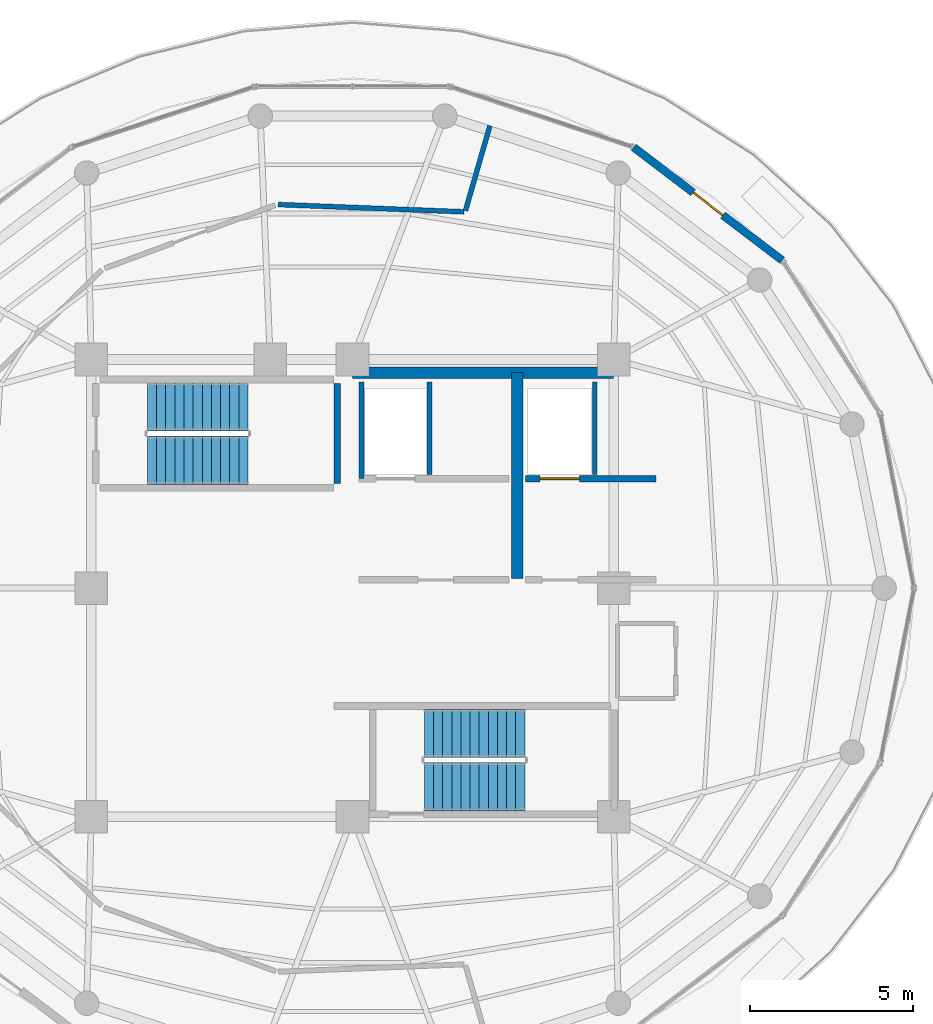
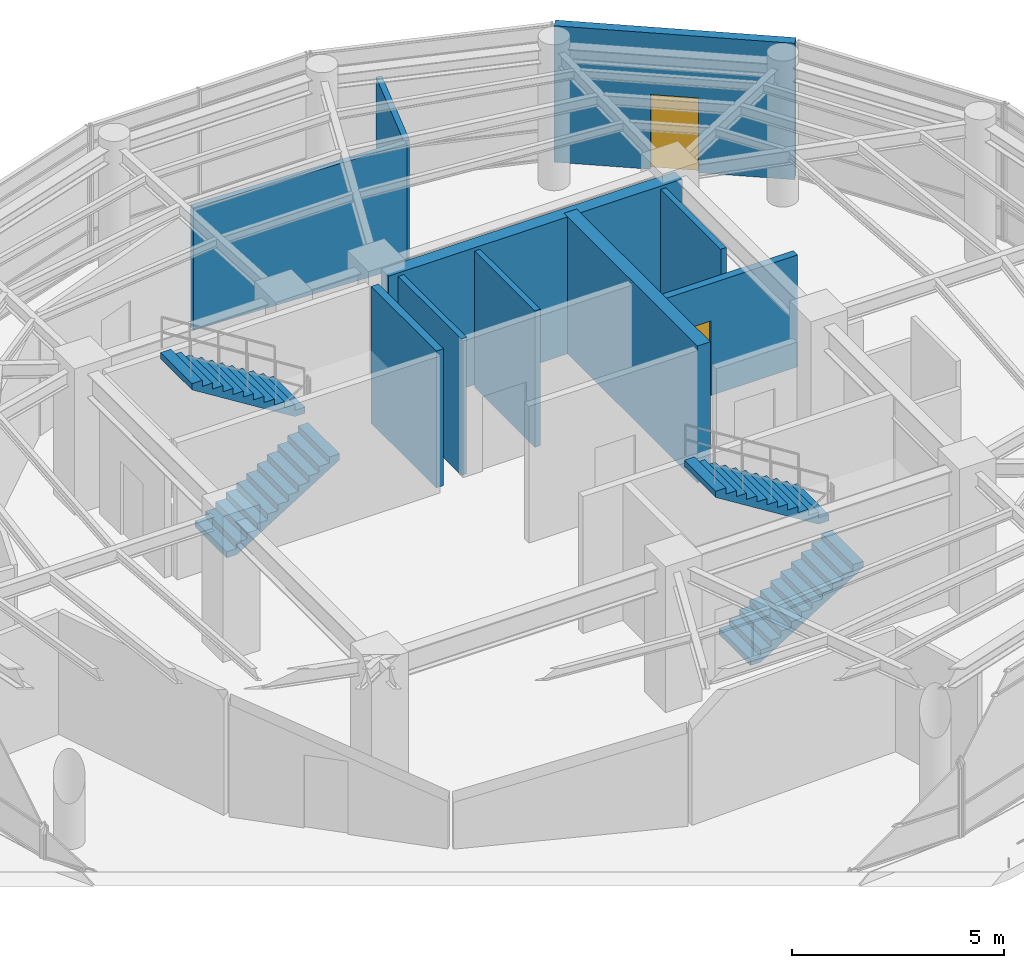
# One storey, part 18 of 20: 10 walls, 4 stair flights, 2 doors, 2 openings, 2 elements without a shape of their own.
"""IFC4 building model written with IfcOpenShell, lengths in metres."""

from ifc_helpers import new_model, si_unit, direction, frame, frame_2d, origin, place, context, subcontext, project, spatial, polyline, rectangle, outline, extrude, material, layer, layer_set, type_object, element, fill, aggregate, save


model = new_model("IFC4")

# Units and contexts
model_context = context("Model", 3, precision=1e-05, world=origin(), true_north=direction((0.0, 1.0)))
body_context = subcontext(model_context, "Body", "Model", "MODEL_VIEW")
ifc_project = project(units=[si_unit("LENGTHUNIT", "METRE"), si_unit("AREAUNIT", "SQUARE_METRE"), si_unit("VOLUMEUNIT", "CUBIC_METRE"), si_unit("PLANEANGLEUNIT", "RADIAN"), si_unit("MASSUNIT", "GRAM", prefix="KILO")], contexts=[model_context])

# Site, building, storey
site_placement = place(None, origin())
site = spatial("IfcSite", under=ifc_project, at=site_placement, CompositionType="ELEMENT")
building_placement = place(site_placement, origin())
building = spatial("IfcBuilding", under=site, at=building_placement, Name="Kelanora Arch Commons", CompositionType="ELEMENT")
storey_placement = place(building_placement, frame((0.0, 0.0, 298.5)))
storey = spatial("IfcBuildingStorey", under=building, at=storey_placement, Name="L76", CompositionType="ELEMENT", Elevation=298.5)

# Walls
ifc_material_1 = material(Name="Autoclaved aerated concrete blockwork with fire plaster", Category="masonry")
ifc_layer_1 = layer(ifc_material_1, 0.14990234375)
ifc_layer_set_1 = layer_set([ifc_layer_1], Name="Autoclaved aerated concrete blockwork with fire plaster")
wall_type_1 = type_object("IfcWallType", Name="W-COMP-150", PredefinedType="PARTITIONING", material=ifc_layer_set_1)
wall_1_placement = place(storey_placement, frame((74.280029296875, 61.35009765625, 0.0), z_axis=(0.0, 0.0, 1.0), x_axis=(0.0, 1.0, 0.0)))
element("IfcWall", 1, at=wall_1_placement, inside=storey, type_object=wall_type_1, Name="Firefighting Lift 1 West Shaft Wall L76", PredefinedType="PARTITIONING", context=body_context, shape_type="SweptSolid", body=[
    extrude(rectangle(XDim=2.969970703125, YDim=0.14990234375, at=frame_2d((1.48486328125, 0.0))), origin(), (0.0, 0.0, 1.0), 3.929931640625),
])
for number, where, z_axis, x_axis, name in (
    (2, (76.360107421875, 61.47998046875, 0.0), (0.0, 0.0, 1.0), (0.0, 1.0, 0.0), "Firefighting Lift 1 East Shaft Wall L76"),
    (3, (81.419921875, 61.47998046875, 0.0), (0.0, 0.0, 1.0), (0.0, 1.0, 0.0), "Firefighting Lift 2 East Shaft Wall L76"),
):
    element("IfcWall", number, at=place(storey_placement, frame(where, z_axis=z_axis, x_axis=x_axis)), inside=storey, type_object=wall_type_1, Name=name, PredefinedType="PARTITIONING", context=body_context, shape_type="SweptSolid", body=[
        extrude(rectangle(XDim=2.840087890625, YDim=0.14990234375, at=frame_2d((1.419921875, 0.0))), origin(), (0.0, 0.0, 1.0), 3.929931640625),
    ])
wall_2_placement = place(storey_placement, frame((77.409912109375, 69.524658203125, 0.0), z_axis=(0.0, 0.0, 1.0), x_axis=(-0.999233860457, 0.03913683834, 0.0)))
element("IfcWall", 4, at=wall_2_placement, inside=storey, type_object=wall_type_1, Name="Crown Chiller and Cooling Tower Plant Room L76 Enclosure Partition 1", PredefinedType="PARTITIONING", context=body_context, shape_type="SweptSolid", body=[
    extrude(rectangle(XDim=5.689208984375, YDim=0.14990234375, at=frame_2d((2.8447265625, 0.0))), origin(), (0.0, 0.0, 1.0), 3.52490234375),
])
wall_3_placement = place(storey_placement, frame((78.2080078125, 72.16064453125, 0.0), z_axis=(0.0, 0.0, 1.0), x_axis=(-0.276223004297, -0.961093570833, 0.0)))
element("IfcWall", 5, at=wall_3_placement, inside=storey, type_object=wall_type_1, Name="Crown Chiller and Cooling Tower Plant Room L76 Enclosure Partition 10", PredefinedType="PARTITIONING", context=body_context, shape_type="SweptSolid", body=[
    extrude(rectangle(XDim=2.70458984375, YDim=0.14990234375, at=frame_2d((1.352294921875, 0.0))), origin(), (0.0, 0.0, 1.0), 3.52490234375),
])
ifc_material_2 = material(Name="Concrete C50/60", Category="concrete")
ifc_layer_2 = layer(ifc_material_2, 0.35009765625)
ifc_layer_set_2 = layer_set([ifc_layer_2], Name="Concrete C50/60")
wall_type_2 = type_object("IfcWallType", Name="W-CORE-350", PredefinedType="SHEAR", material=ifc_layer_set_2)
wall_4_placement = place(storey_placement, frame((74.0, 64.60009765625, 0.0), z_axis=(0.0, 0.0, 1.0), x_axis=(1.0, 0.0, 0.0)))
element("IfcWall", 6, at=wall_4_placement, inside=storey, type_object=wall_type_2, Name="Core Shear Spine L76-CN-E", PredefinedType="SHEAR", context=body_context, shape_type="SweptSolid", body=[
    extrude(rectangle(XDim=8.0, YDim=0.35009765625, at=frame_2d((4.0, 0.0))), origin(), (0.0, 0.0, 1.0), 3.93994140625),
])
wall_5_placement = place(storey_placement, frame((79.050048828125, 58.300048828125, 0.0), z_axis=(0.0, 0.0, 1.0), x_axis=(0.0, 1.0, 0.0)))
element("IfcWall", 7, at=wall_5_placement, inside=storey, type_object=wall_type_2, Name="Core Shear Spine L76-CE-N", PredefinedType="SHEAR", context=body_context, shape_type="SweptSolid", body=[
    extrude(rectangle(XDim=6.300048828125, YDim=0.35009765625, at=frame_2d((3.14990234375, 0.0))), origin(), (0.0, 0.0, 1.0), 3.93994140625),
])

# Wall, opening, door
ifc_material_3 = material(Name="Precast concrete C40/50 upper-zone terracotta rainscreen", Category="masonry")
ifc_layer_3 = layer(ifc_material_3, 0.239990234375)
ifc_layer_set_3 = layer_set([ifc_layer_3], Name="Precast concrete C40/50 upper-zone terracotta rainscreen")
wall_type_3 = type_object("IfcWallType", Name="W-EXT-TC2", PredefinedType="SOLIDWALL", material=ifc_layer_set_3)
wall_6_placement = place(storey_placement, frame((87.1640625, 68.03662109375, 0.0), z_axis=(0.0, 0.0, 1.0), x_axis=(-0.795770568915, 0.605598218004, 0.0)))
wall_6 = element("IfcWall", 8, at=wall_6_placement, inside=storey, type_object=wall_type_3, Name="Terracotta Exterior Wall L76-B02", PredefinedType="SOLIDWALL", context=body_context, shape_type="SweptSolid", body=[
    extrude(rectangle(XDim=5.720458984375, YDim=0.239990234375, at=frame_2d((2.8603515625, 0.0))), origin(), (0.0, 0.0, 1.0), 3.925048828125),
])
opening_1_placement = place(wall_6_placement, frame((2.284912109375, 0.0, 0.0)))
opening_1 = element("IfcOpeningElement", 9, at=opening_1_placement, cuts=wall_6, Name="Opening DT-01", PredefinedType="OPENING", context=body_context, shape_type="SweptSolid", body=[
    extrude(rectangle(XDim=1.14990234375, YDim=2.14990234375, at=frame_2d((0.574951171875, 1.074951171875))), frame((0.0, 0.1298828125, 0.0), z_axis=(0.0, -1.0, 0.0), x_axis=(1.0, 0.0, 0.0)), (0.0, 0.0, 1.0), 0.260009765625),
])
ifc_material_4 = material(Name="Weather-sealed aluminium terrace door", Category="aluminium")
door_type_1 = type_object("IfcDoorType", Name="D-TERR-12", OperationType="NOTDEFINED", PredefinedType="DOOR", material=ifc_material_4)
door_1_placement = place(opening_1_placement, frame((1.14990234375, 0.0, 0.0), z_axis=(0.0, 0.0, 1.0), x_axis=(-1.0, 0.0, 0.0)))
door_1 = element("IfcDoor", 10, at=door_1_placement, inside=storey, type_object=door_type_1, Name="Sky-Terrace Access Door L76-B02", OperationType="SINGLE_SWING_LEFT", OverallHeight=2.14990234375, OverallWidth=1.14990234375, PredefinedType="DOOR", context=body_context, shape_type="SweptSolid", body=[
    extrude(rectangle(XDim=1.14990234375, YDim=2.14990234375, at=frame_2d((0.574951171875, 1.074951171875))), frame((0.0, 0.02490234375, 0.0), z_axis=(0.0, -1.0, 0.0), x_axis=(1.0, 0.0, 0.0)), (0.0, 0.0, 1.0), 0.050048828125),
])
fill(opening_1, door_1)

ifc_material_5 = material(Name="Concrete C40/50", Category="concrete")
ifc_layer_4 = layer(ifc_material_5, 0.199951171875)
ifc_layer_set_4 = layer_set([ifc_layer_4], Name="Concrete C40/50")
wall_type_4 = type_object("IfcWallType", Name="W-FFL-200", PredefinedType="SOLIDWALL", material=ifc_layer_set_4)
wall_7_placement = place(storey_placement, frame((79.300048828125, 61.35009765625, 0.0), z_axis=(0.0, 0.0, 1.0), x_axis=(1.0, 0.0, 0.0)))
wall_7 = element("IfcWall", 11, at=wall_7_placement, inside=storey, type_object=wall_type_4, Name="Firefighting Lift 2 Shaft Front L76", PredefinedType="SOLIDWALL", context=body_context, shape_type="SweptSolid", body=[
    extrude(rectangle(XDim=4.0, YDim=0.199951171875, at=frame_2d((2.0, 0.0))), origin(), (0.0, 0.0, 1.0), 3.22509765625),
])
opening_2_placement = place(wall_7_placement, frame((0.449951171875, 0.0, 0.0)))
opening_2 = element("IfcOpeningElement", 12, at=opening_2_placement, cuts=wall_7, Name="Opening LD-FF", PredefinedType="OPENING", context=body_context, shape_type="SweptSolid", body=[
    extrude(rectangle(XDim=1.199951171875, YDim=2.14990234375, at=frame_2d((0.60009765625, 1.074951171875))), frame((0.0, 0.10986328125, 0.0), z_axis=(0.0, -1.0, 0.0), x_axis=(1.0, 0.0, 0.0)), (0.0, 0.0, 1.0), 0.219970703125),
])
ifc_material_6 = material(Name="Fire-rated firefighters lift sliding landing door")
door_type_2 = type_object("IfcDoorType", Name="D-LIFT-FF", OperationType="NOTDEFINED", PredefinedType="DOOR", material=ifc_material_6)
door_2_placement = place(opening_2_placement, origin())
door_2 = element("IfcDoor", 13, at=door_2_placement, inside=storey, type_object=door_type_2, Name="Firefighting Lift LF-FF2 Landing Door L76", OperationType="DOUBLE_DOOR_SLIDING", OverallHeight=2.14990234375, OverallWidth=1.199951171875, PredefinedType="DOOR", context=body_context, shape_type="SweptSolid", body=[
    extrude(rectangle(XDim=1.199951171875, YDim=2.14990234375, at=frame_2d((0.60009765625, 1.074951171875))), frame((0.0, 0.02490234375, 0.0), z_axis=(0.0, -1.0, 0.0), x_axis=(1.0, 0.0, 0.0)), (0.0, 0.0, 1.0), 0.050048828125),
])
fill(opening_2, door_2)

# Wall
ifc_layer_5 = layer(ifc_material_5, 0.199951171875)
ifc_layer_set_5 = layer_set([ifc_layer_5], Name="Concrete C40/50")
wall_type_5 = type_object("IfcWallType", Name="W-STAIR-200", PredefinedType="SHEAR", material=ifc_layer_set_5)
wall_8_placement = place(storey_placement, frame((73.5400390625, 61.199951171875, 0.0), z_axis=(0.0, 0.0, 1.0), x_axis=(0.0, 1.0, 0.0)))
element("IfcWall", 14, at=wall_8_placement, inside=storey, type_object=wall_type_5, Name="Stair ST-T1 Shaft Wall E L76", PredefinedType="SHEAR", context=body_context, shape_type="SweptSolid", body=[
    extrude(rectangle(XDim=3.070068359375, YDim=0.199951171875, at=frame_2d((1.53515625, 0.0))), origin(), (0.0, 0.0, 1.0), 3.93994140625),
])

# Stair, stair flights
stair_type = type_object("IfcStairType", Name="STR-DL-420", PredefinedType="HALF_TURN_STAIR", material=ifc_material_5)
stair_1_placement = place(storey_placement, origin())
stair_1 = element("IfcStair", 15, at=stair_1_placement, inside=storey, type_object=stair_type, Name="L76 ST-T1", PredefinedType="HALF_TURN_STAIR")
stair_flight_type = type_object("IfcStairFlightType", Name="FLT-DL-420", PredefinedType="STRAIGHT", material=ifc_material_5)
stair_flight_1_placement = place(storey_placement, frame((67.719970703125, 61.919921875, 0.0), z_axis=(0.0, 0.0, 1.0), x_axis=(1.0, 0.0, 0.0)))
stair_flight_1 = element("IfcStairFlight", 16, at=stair_flight_1_placement, type_object=stair_flight_type, Name="ST-T1 flight 1", NumberOfRisers=12, NumberOfTreads=11, PredefinedType="STRAIGHT", RiserHeight=0.175, TreadLength=0.28, context=body_context, shape_type="SweptSolid", body=[
    extrude(outline(polyline([(0.0, 0.0), (0.0, 0.175048828125), (0.280029296875, 0.175048828125), (0.280029296875, 0.35009765625), (0.56005859375, 0.35009765625), (0.56005859375, 0.52490234375), (0.840087890625, 0.52490234375), (0.840087890625, 0.699951171875), (1.1201171875, 0.699951171875), (1.1201171875, 0.875), (1.39990234375, 0.875), (1.39990234375, 1.050048828125), (1.679931640625, 1.050048828125), (1.679931640625, 1.22509765625), (1.9599609375, 1.22509765625), (1.9599609375, 1.39990234375), (2.239990234375, 1.39990234375), (2.239990234375, 1.574951171875), (2.52001953125, 1.574951171875), (2.52001953125, 1.75), (2.800048828125, 1.75), (2.800048828125, 1.925048828125), (3.080078125, 1.925048828125), (3.080078125, 2.10009765625), (3.080078125, 1.748291015625), (0.28271484375, 0.0), (0.0, 0.0)])), frame((0.0, 0.739990234375, 0.0), z_axis=(0.0, -1.0, 0.0), x_axis=(1.0, 0.0, 0.0)), (0.0, 0.0, 1.0), 1.47998046875),
])
stair_flight_2_placement = place(storey_placement, frame((70.800048828125, 63.550048828125, 2.10009765625), z_axis=(0.0, 0.0, 1.0), x_axis=(-1.0, 0.0, 0.0)))
stair_flight_2 = element("IfcStairFlight", 17, at=stair_flight_2_placement, type_object=stair_flight_type, Name="ST-T1 flight 2", NumberOfRisers=12, NumberOfTreads=11, PredefinedType="STRAIGHT", RiserHeight=0.175, TreadLength=0.28, context=body_context, shape_type="SweptSolid", body=[
    extrude(outline(polyline([(0.0, 0.0), (0.0, 0.175048828125), (0.280029296875, 0.175048828125), (0.280029296875, 0.35009765625), (0.56005859375, 0.35009765625), (0.56005859375, 0.52490234375), (0.840087890625, 0.52490234375), (0.840087890625, 0.699951171875), (1.1201171875, 0.699951171875), (1.1201171875, 0.875), (1.39990234375, 0.875), (1.39990234375, 1.050048828125), (1.679931640625, 1.050048828125), (1.679931640625, 1.22509765625), (1.9599609375, 1.22509765625), (1.9599609375, 1.39990234375), (2.239990234375, 1.39990234375), (2.239990234375, 1.574951171875), (2.52001953125, 1.574951171875), (2.52001953125, 1.75), (2.800048828125, 1.75), (2.800048828125, 1.925048828125), (3.080078125, 1.925048828125), (3.080078125, 2.10009765625), (3.080078125, 1.748291015625), (0.28271484375, 0.0), (0.0, 0.0)])), frame((0.0, 0.739990234375, 0.0), z_axis=(0.0, -1.0, 0.0), x_axis=(1.0, 0.0, 0.0)), (0.0, 0.0, 1.0), 1.47998046875),
])
aggregate(stair_1, [stair_flight_1, stair_flight_2])

stair_2_placement = place(storey_placement, origin())
stair_2 = element("IfcStair", 18, at=stair_2_placement, inside=storey, type_object=stair_type, Name="L76 ST-T2", PredefinedType="HALF_TURN_STAIR")
stair_flight_3_placement = place(storey_placement, frame((76.199951171875, 51.919921875, 0.0), z_axis=(0.0, 0.0, 1.0), x_axis=(1.0, 0.0, 0.0)))
stair_flight_3 = element("IfcStairFlight", 19, at=stair_flight_3_placement, type_object=stair_flight_type, Name="ST-T2 flight 1", NumberOfRisers=12, NumberOfTreads=11, PredefinedType="STRAIGHT", RiserHeight=0.175, TreadLength=0.28, context=body_context, shape_type="SweptSolid", body=[
    extrude(outline(polyline([(0.0, 0.0), (0.0, 0.175048828125), (0.280029296875, 0.175048828125), (0.280029296875, 0.35009765625), (0.56005859375, 0.35009765625), (0.56005859375, 0.52490234375), (0.840087890625, 0.52490234375), (0.840087890625, 0.699951171875), (1.1201171875, 0.699951171875), (1.1201171875, 0.875), (1.39990234375, 0.875), (1.39990234375, 1.050048828125), (1.679931640625, 1.050048828125), (1.679931640625, 1.22509765625), (1.9599609375, 1.22509765625), (1.9599609375, 1.39990234375), (2.239990234375, 1.39990234375), (2.239990234375, 1.574951171875), (2.52001953125, 1.574951171875), (2.52001953125, 1.75), (2.800048828125, 1.75), (2.800048828125, 1.925048828125), (3.080078125, 1.925048828125), (3.080078125, 2.10009765625), (3.080078125, 1.748291015625), (0.28271484375, 0.0), (0.0, 0.0)])), frame((0.0, 0.739990234375, 0.0), z_axis=(0.0, -1.0, 0.0), x_axis=(1.0, 0.0, 0.0)), (0.0, 0.0, 1.0), 1.47998046875),
])
stair_flight_4_placement = place(storey_placement, frame((79.280029296875, 53.550048828125, 2.10009765625), z_axis=(0.0, 0.0, 1.0), x_axis=(-1.0, 0.0, 0.0)))
stair_flight_4 = element("IfcStairFlight", 20, at=stair_flight_4_placement, type_object=stair_flight_type, Name="ST-T2 flight 2", NumberOfRisers=12, NumberOfTreads=11, PredefinedType="STRAIGHT", RiserHeight=0.175, TreadLength=0.28, context=body_context, shape_type="SweptSolid", body=[
    extrude(outline(polyline([(0.0, 0.0), (0.0, 0.175048828125), (0.280029296875, 0.175048828125), (0.280029296875, 0.35009765625), (0.56005859375, 0.35009765625), (0.56005859375, 0.52490234375), (0.840087890625, 0.52490234375), (0.840087890625, 0.699951171875), (1.1201171875, 0.699951171875), (1.1201171875, 0.875), (1.39990234375, 0.875), (1.39990234375, 1.050048828125), (1.679931640625, 1.050048828125), (1.679931640625, 1.22509765625), (1.9599609375, 1.22509765625), (1.9599609375, 1.39990234375), (2.239990234375, 1.39990234375), (2.239990234375, 1.574951171875), (2.52001953125, 1.574951171875), (2.52001953125, 1.75), (2.800048828125, 1.75), (2.800048828125, 1.925048828125), (3.080078125, 1.925048828125), (3.080078125, 2.10009765625), (3.080078125, 1.748291015625), (0.28271484375, 0.0), (0.0, 0.0)])), frame((0.0, 0.739990234375, 0.0), z_axis=(0.0, -1.0, 0.0), x_axis=(1.0, 0.0, 0.0)), (0.0, 0.0, 1.0), 1.47998046875),
])
aggregate(stair_2, [stair_flight_3, stair_flight_4])

save(model, "model.ifc")
